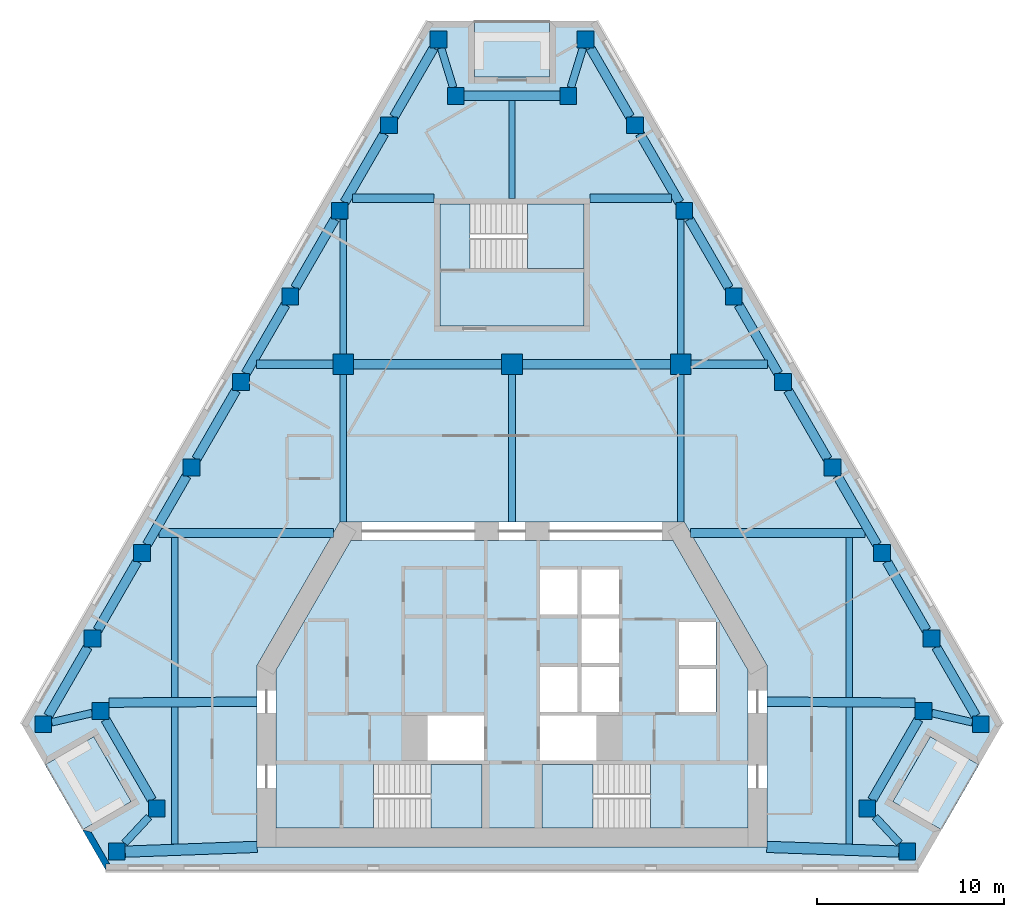
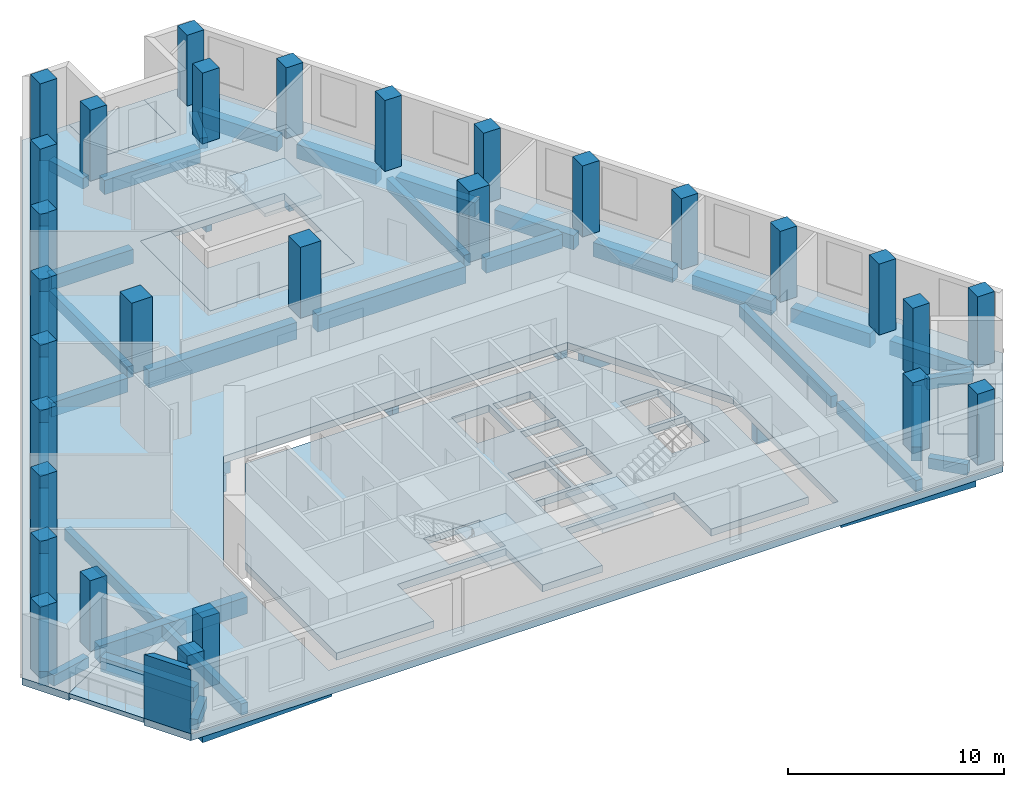
# One storey, part 1 of 7: 47 beams, 29 columns, 9 slabs, 1 wall, 3 elements without a shape of their own.
"""IFC4 building model written with IfcOpenShell, lengths in metres."""

from ifc_helpers import new_model, si_unit, direction, frame, origin, origin_2d, place, context, subcontext, project, spatial, polyline, rectangle, outline, extrude, material, layer, layer_set, material_profile, profile_set, type_object, element, aggregate, save


model = new_model("IFC4")

# Units and contexts
model_context = context("Model", 3, precision=1e-05, world=origin(), true_north=direction((0.0, 1.0)))
body_context = subcontext(model_context, "Body", "Model", "MODEL_VIEW")
ifc_project = project(units=[si_unit("LENGTHUNIT", "METRE"), si_unit("AREAUNIT", "SQUARE_METRE"), si_unit("VOLUMEUNIT", "CUBIC_METRE"), si_unit("PLANEANGLEUNIT", "RADIAN"), si_unit("MASSUNIT", "GRAM", prefix="KILO")], contexts=[model_context])

# Site, building, storey
site_placement = place(None, origin())
site = spatial("IfcSite", under=ifc_project, at=site_placement, CompositionType="ELEMENT")
building_placement = place(site_placement, origin())
building = spatial("IfcBuilding", under=site, at=building_placement, Name="Fogline Exchange Tower", CompositionType="ELEMENT")
storey_placement = place(building_placement, frame((0.0, 0.0, 251.5)))
storey = spatial("IfcBuildingStorey", under=building, at=storey_placement, Name="L57", CompositionType="ELEMENT", Elevation=251.5)

# Columns
ifc_material_1 = material(Name="Concrete C60", Category="concrete")
ifc_material_profile_1 = material_profile(ifc_material_1, rectangle(XDim=1.10009765625, YDim=1.10009765625, at=origin_2d()), Name="RC 1100x1100")
ifc_profile_set_1 = profile_set([ifc_material_profile_1], Name="Concrete C60")
column_type_1 = type_object("IfcColumnType", Name="C05", PredefinedType="COLUMN", material=ifc_profile_set_1)
for number, where, z_axis, x_axis, name in (
    (1, (-9.0, 27.0, 0.0), (0.0, 0.0, 1.0), (1.0, 0.0, 0.0), "IC--9-27"),
    (2, (0.0, 27.0, 0.0), (0.0, 0.0, 1.0), (1.0, 0.0, 0.0), "IC-0-27"),
    (3, (9.0, 27.0, 0.0), (0.0, 0.0, 1.0), (1.0, 0.0, 0.0), "IC-9-27"),
):
    element("IfcColumn", number, at=place(storey_placement, frame(where, z_axis=z_axis, x_axis=x_axis)), inside=storey, type_object=column_type_1, Name=name, PredefinedType="COLUMN", context=body_context, shape_type="SweptSolid", body=[
        extrude(rectangle(XDim=1.10009765625, YDim=1.10009765625, at=origin_2d()), origin(), (0.0, 0.0, 1.0), 4.0),
    ])
ifc_material_profile_2 = material_profile(ifc_material_1, rectangle(XDim=0.89990234375, YDim=0.89990234375, at=origin_2d()), Name="RC 900x900")
ifc_profile_set_2 = profile_set([ifc_material_profile_2], Name="Concrete C60")
column_type_2 = type_object("IfcColumnType", Name="C06", PredefinedType="COLUMN", material=ifc_profile_set_2)
for number, where, z_axis, x_axis, name in (
    (4, (-25.0146484375, 7.794189453125, 0.0), (0.0, 0.0, 1.0), (1.0, 0.0, 0.0), "SW-a"),
    (5, (-21.955322265625, 8.4951171875, 0.0), (0.0, 0.0, 1.0), (1.0, 0.0, 0.0), "SW-p4"),
    (6, (-18.955322265625, 3.299072265625, 0.0), (0.0, 0.0, 1.0), (1.0, 0.0, 0.0), "SW-p3"),
    (7, (-21.092041015625, 1.0, 0.0), (0.0, 0.0, 1.0), (1.0, 0.0, 0.0), "SW-b"),
    (8, (21.092041015625, 1.0, 0.0), (0.0, 0.0, 1.0), (1.0, 0.0, 0.0), "SE-a"),
    (9, (18.955322265625, 3.299072265625, 0.0), (0.0, 0.0, 1.0), (1.0, 0.0, 0.0), "SE-p4"),
    (10, (21.955322265625, 8.4951171875, 0.0), (0.0, 0.0, 1.0), (1.0, 0.0, 0.0), "SE-p3"),
    (11, (25.0146484375, 7.794189453125, 0.0), (0.0, 0.0, 1.0), (1.0, 0.0, 0.0), "SE-b"),
    (12, (22.378173828125, 12.36083984375, 0.0), (0.0, 0.0, 1.0), (1.0, 0.0, 0.0), "E1"),
    (13, (19.74169921875, 16.92724609375, 0.0), (0.0, 0.0, 1.0), (1.0, 0.0, 0.0), "E2"),
    (14, (17.105224609375, 21.493896484375, 0.0), (0.0, 0.0, 1.0), (1.0, 0.0, 0.0), "E3"),
    (15, (14.46875, 26.060302734375, 0.0), (0.0, 0.0, 1.0), (1.0, 0.0, 0.0), "E4"),
    (16, (11.832275390625, 30.626953125, 0.0), (0.0, 0.0, 1.0), (1.0, 0.0, 0.0), "E5"),
    (17, (9.19580078125, 35.193603515625, 0.0), (0.0, 0.0, 1.0), (1.0, 0.0, 0.0), "E6"),
    (18, (6.55908203125, 39.760009765625, 0.0), (0.0, 0.0, 1.0), (1.0, 0.0, 0.0), "E7"),
    (19, (3.922607421875, 44.32666015625, 0.0), (0.0, 0.0, 1.0), (1.0, 0.0, 0.0), "N-a"),
    (20, (3.0, 41.32666015625, 0.0), (0.0, 0.0, 1.0), (1.0, 0.0, 0.0), "N-p4"),
    (21, (-3.0, 41.32666015625, 0.0), (0.0, 0.0, 1.0), (1.0, 0.0, 0.0), "N-p3"),
    (22, (-3.922607421875, 44.32666015625, 0.0), (0.0, 0.0, 1.0), (1.0, 0.0, 0.0), "N-b"),
    (23, (-6.55908203125, 39.760009765625, 0.0), (0.0, 0.0, 1.0), (1.0, 0.0, 0.0), "W1"),
    (24, (-9.19580078125, 35.193603515625, 0.0), (0.0, 0.0, 1.0), (1.0, 0.0, 0.0), "W2"),
    (25, (-11.832275390625, 30.626953125, 0.0), (0.0, 0.0, 1.0), (1.0, 0.0, 0.0), "W3"),
    (26, (-14.46875, 26.060302734375, 0.0), (0.0, 0.0, 1.0), (1.0, 0.0, 0.0), "W4"),
    (27, (-17.105224609375, 21.493896484375, 0.0), (0.0, 0.0, 1.0), (1.0, 0.0, 0.0), "W5"),
    (28, (-19.74169921875, 16.92724609375, 0.0), (0.0, 0.0, 1.0), (1.0, 0.0, 0.0), "W6"),
    (29, (-22.378173828125, 12.36083984375, 0.0), (0.0, 0.0, 1.0), (1.0, 0.0, 0.0), "W7"),
):
    element("IfcColumn", number, at=place(storey_placement, frame(where, z_axis=z_axis, x_axis=x_axis)), inside=storey, type_object=column_type_2, Name=name, PredefinedType="COLUMN", context=body_context, shape_type="SweptSolid", body=[
        extrude(rectangle(XDim=0.89990234375, YDim=0.89990234375, at=origin_2d()), origin(), (0.0, 0.0, 1.0), 4.0),
    ])

# Beams
ifc_material_2 = material(Name="Concrete C40", Category="concrete")
ifc_material_profile_3 = material_profile(ifc_material_2, rectangle(XDim=0.300048828125, YDim=0.60009765625, at=origin_2d()), Name="RC 300x600")
ifc_profile_set_3 = profile_set([ifc_material_profile_3], Name="Concrete C40")
beam_type_1 = type_object("IfcBeamType", Name="B06", PredefinedType="BEAM", material=ifc_profile_set_3)
beam_1_placement = place(storey_placement, frame((0.0, 35.85693359375, -0.699951171875), z_axis=(0.0, 1.0, 0.0), x_axis=(-1.0, 0.0, 0.0)))
element("IfcBeam", 30, at=beam_1_placement, inside=storey, type_object=beam_type_1, Name="SB006", PredefinedType="BEAM", context=body_context, shape_type="SweptSolid", body=[
    extrude(rectangle(XDim=0.300048828125, YDim=0.60009765625, at=origin_2d()), origin(), (0.0, 0.0, 1.0), 5.2197265625),
])
ifc_material_profile_4 = material_profile(ifc_material_2, rectangle(XDim=0.60009765625, YDim=0.89990234375, at=origin_2d()), Name="RC 600x900")
ifc_profile_set_4 = profile_set([ifc_material_profile_4], Name="Concrete C40")
beam_type_2 = type_object("IfcBeamType", Name="B09", PredefinedType="BEAM", material=ifc_profile_set_4)
beam_2_placement = place(storey_placement, frame((-20.64208984375, 0.99462890625, -0.85009765625), z_axis=(0.999343107492, 0.036240219472, 0.0), x_axis=(-0.036240219472, 0.999343107492, 0.0)))
element("IfcBeam", 31, at=beam_2_placement, inside=storey, type_object=beam_type_2, Name="RB004", PredefinedType="BEAM", context=body_context, shape_type="SweptSolid", body=[
    extrude(rectangle(XDim=0.60009765625, YDim=0.89990234375, at=origin_2d()), origin(), (0.0, 0.0, 1.0), 7.046630859375),
])
beam_3_placement = place(storey_placement, frame((13.60009765625, 1.25, -0.85009765625), z_axis=(0.99937042328, -0.035478966629, 0.0), x_axis=(0.035478966629, 0.99937042328, 0.0)))
element("IfcBeam", 32, at=beam_3_placement, inside=storey, type_object=beam_type_2, Name="RB005", PredefinedType="BEAM", context=body_context, shape_type="SweptSolid", body=[
    extrude(rectangle(XDim=0.60009765625, YDim=0.89990234375, at=origin_2d()), origin(), (0.0, 0.0, 1.0), 7.04638671875),
])
ifc_material_profile_5 = material_profile(ifc_material_2, rectangle(XDim=0.5, YDim=0.800048828125, at=origin_2d()), Name="RC 500x800")
ifc_profile_set_5 = profile_set([ifc_material_profile_5], Name="Concrete C40")
beam_type_3 = type_object("IfcBeamType", Name="B10", PredefinedType="BEAM", material=ifc_profile_set_5)
for number, where, z_axis, x_axis, name in (
    (33, (-21.6953125, 8.045166015625, -0.800048828125), (0.499976646485, -0.866038886523, 0.0), (0.866038886523, 0.499976646485, 0.0), "RB002"),
    (34, (19.215087890625, 3.7490234375, -0.800048828125), (0.499976646485, 0.866038886523, 0.0), (-0.866038886523, 0.499976646485, 0.0), "RB007"),
):
    element("IfcBeam", number, at=place(storey_placement, frame(where, z_axis=z_axis, x_axis=x_axis)), inside=storey, type_object=beam_type_3, Name=name, PredefinedType="BEAM", context=body_context, shape_type="SweptSolid", body=[
        extrude(rectangle(XDim=0.5, YDim=0.800048828125, at=origin_2d()), origin(), (0.0, 0.0, 1.0), 4.960693359375),
    ])
beam_4_placement = place(storey_placement, frame((24.7548828125, 8.244140625, -0.800048828125), z_axis=(-0.499990325971, 0.866030989016, 0.0), x_axis=(-0.866030989016, -0.499990325971, 0.0)))
element("IfcBeam", 35, at=beam_4_placement, inside=storey, type_object=beam_type_3, Name="RB009", PredefinedType="BEAM", context=body_context, shape_type="SweptSolid", body=[
    extrude(rectangle(XDim=0.5, YDim=0.800048828125, at=origin_2d()), origin(), (0.0, 0.0, 1.0), 4.23388671875),
])
beam_5_placement = place(storey_placement, frame((22.118408203125, 12.810791015625, -0.800048828125), z_axis=(-0.500015295222, 0.866016572904, 0.0), x_axis=(-0.866016572904, -0.500015295222, 0.0)))
element("IfcBeam", 36, at=beam_5_placement, inside=storey, type_object=beam_type_3, Name="RB010", PredefinedType="BEAM", context=body_context, shape_type="SweptSolid", body=[
    extrude(rectangle(XDim=0.5, YDim=0.800048828125, at=origin_2d()), origin(), (0.0, 0.0, 1.0), 4.233642578125),
])
beam_6_placement = place(storey_placement, frame((19.481689453125, 17.377197265625, -0.800048828125), z_axis=(-0.499947076772, 0.866055956868, 0.0), x_axis=(-0.866055956868, -0.499947076772, 0.0)))
element("IfcBeam", 37, at=beam_6_placement, inside=storey, type_object=beam_type_3, Name="RB011", PredefinedType="BEAM", context=body_context, shape_type="SweptSolid", body=[
    extrude(rectangle(XDim=0.5, YDim=0.800048828125, at=origin_2d()), origin(), (0.0, 0.0, 1.0), 4.23388671875),
])
for number, where, z_axis, x_axis, name in (
    (38, (16.84521484375, 21.94384765625, -0.800048828125), (-0.499972045304, 0.866041542834, 0.0), (-0.866041542834, -0.499972045304, 0.0), "RB012"),
    (39, (14.208740234375, 26.510498046875, -0.800048828125), (-0.499972045304, 0.866041542834, 0.0), (-0.866041542834, -0.499972045304, 0.0), "RB013"),
    (40, (11.572265625, 31.076904296875, -0.800048828125), (-0.499972045304, 0.866041542834, 0.0), (-0.866041542834, -0.499972045304, 0.0), "RB014"),
    (41, (8.935791015625, 35.6435546875, -0.800048828125), (-0.499972045304, 0.866041542834, 0.0), (-0.866041542834, -0.499972045304, 0.0), "RB015"),
    (42, (6.29931640625, 40.210205078125, -0.800048828125), (-0.499972045304, 0.866041542834, 0.0), (-0.866041542834, -0.499972045304, 0.0), "RB016"),
):
    element("IfcBeam", number, at=place(storey_placement, frame(where, z_axis=z_axis, x_axis=x_axis)), inside=storey, type_object=beam_type_3, Name=name, PredefinedType="BEAM", context=body_context, shape_type="SweptSolid", body=[
        extrude(rectangle(XDim=0.5, YDim=0.800048828125, at=origin_2d()), origin(), (0.0, 0.0, 1.0), 4.233642578125),
    ])
beam_7_placement = place(storey_placement, frame((2.550048828125, 41.32666015625, -0.800048828125), z_axis=(-1.0, 0.0, 0.0), x_axis=(0.0, -1.0, 0.0)))
element("IfcBeam", 43, at=beam_7_placement, inside=storey, type_object=beam_type_3, Name="RB018", PredefinedType="BEAM", context=body_context, shape_type="SweptSolid", body=[
    extrude(rectangle(XDim=0.5, YDim=0.800048828125, at=origin_2d()), origin(), (0.0, 0.0, 1.0), 5.10009765625),
])
for number, where, z_axis, x_axis, name in (
    (44, (-4.1826171875, 43.876708984375, -0.800048828125), (-0.499972045304, -0.866041542834, 0.0), (0.866041542834, -0.499972045304, 0.0), "RB020"),
    (45, (-6.819091796875, 39.31005859375, -0.800048828125), (-0.499972045304, -0.866041542834, 0.0), (0.866041542834, -0.499972045304, 0.0), "RB021"),
    (46, (-9.45556640625, 34.743408203125, -0.800048828125), (-0.499972045304, -0.866041542834, 0.0), (0.866041542834, -0.499972045304, 0.0), "RB022"),
    (47, (-12.092041015625, 30.177001953125, -0.800048828125), (-0.499972045304, -0.866041542834, 0.0), (0.866041542834, -0.499972045304, 0.0), "RB023"),
    (48, (-14.728515625, 25.6103515625, -0.800048828125), (-0.499972045304, -0.866041542834, 0.0), (0.866041542834, -0.499972045304, 0.0), "RB024"),
):
    element("IfcBeam", number, at=place(storey_placement, frame(where, z_axis=z_axis, x_axis=x_axis)), inside=storey, type_object=beam_type_3, Name=name, PredefinedType="BEAM", context=body_context, shape_type="SweptSolid", body=[
        extrude(rectangle(XDim=0.5, YDim=0.800048828125, at=origin_2d()), origin(), (0.0, 0.0, 1.0), 4.233642578125),
    ])
beam_8_placement = place(storey_placement, frame((-17.364990234375, 21.0439453125, -0.800048828125), z_axis=(-0.499947076772, -0.866055956868, 0.0), x_axis=(0.866055956868, -0.499947076772, 0.0)))
element("IfcBeam", 49, at=beam_8_placement, inside=storey, type_object=beam_type_3, Name="RB025", PredefinedType="BEAM", context=body_context, shape_type="SweptSolid", body=[
    extrude(rectangle(XDim=0.5, YDim=0.800048828125, at=origin_2d()), origin(), (0.0, 0.0, 1.0), 4.23388671875),
])
beam_9_placement = place(storey_placement, frame((-20.00146484375, 16.477294921875, -0.800048828125), z_axis=(-0.500015295222, -0.866016572904, 0.0), x_axis=(0.866016572904, -0.500015295222, 0.0)))
element("IfcBeam", 50, at=beam_9_placement, inside=storey, type_object=beam_type_3, Name="RB026", PredefinedType="BEAM", context=body_context, shape_type="SweptSolid", body=[
    extrude(rectangle(XDim=0.5, YDim=0.800048828125, at=origin_2d()), origin(), (0.0, 0.0, 1.0), 4.233642578125),
])
beam_10_placement = place(storey_placement, frame((-22.637939453125, 11.910888671875, -0.800048828125), z_axis=(-0.499990325971, -0.866030989016, 0.0), x_axis=(0.866030989016, -0.499990325971, 0.0)))
element("IfcBeam", 51, at=beam_10_placement, inside=storey, type_object=beam_type_3, Name="RB027", PredefinedType="BEAM", context=body_context, shape_type="SweptSolid", body=[
    extrude(rectangle(XDim=0.5, YDim=0.800048828125, at=origin_2d()), origin(), (0.0, 0.0, 1.0), 4.23388671875),
])
ifc_material_profile_6 = material_profile(ifc_material_2, rectangle(XDim=0.39990234375, YDim=0.60009765625, at=origin_2d()), Name="RC 400x600")
ifc_profile_set_6 = profile_set([ifc_material_profile_6], Name="Concrete C40")
beam_type_4 = type_object("IfcBeamType", Name="B11", PredefinedType="BEAM", material=ifc_profile_set_6)
beam_11_placement = place(storey_placement, frame((-24.564697265625, 7.897216796875, -0.699951171875), z_axis=(0.974731818643, 0.223378337636, 0.0), x_axis=(-0.223378337636, 0.974731818643, 0.0)))
element("IfcBeam", 52, at=beam_11_placement, inside=storey, type_object=beam_type_4, Name="RB001", PredefinedType="BEAM", context=body_context, shape_type="SweptSolid", body=[
    extrude(rectangle(XDim=0.39990234375, YDim=0.60009765625, at=origin_2d()), origin(), (0.0, 0.0, 1.0), 2.21533203125),
])
for number, where, z_axis, x_axis, name in (
    (53, (-19.37353515625, 2.84912109375, -0.699951171875), (-0.68075009804, -0.732515736362, 0.0), (0.732515736362, -0.68075009804, 0.0), "RB003"),
    (54, (20.673828125, 1.449951171875, -0.699951171875), (-0.68075009804, 0.732515736362, 0.0), (-0.732515736362, -0.68075009804, 0.0), "RB006"),
):
    element("IfcBeam", number, at=place(storey_placement, frame(where, z_axis=z_axis, x_axis=x_axis)), inside=storey, type_object=beam_type_4, Name=name, PredefinedType="BEAM", context=body_context, shape_type="SweptSolid", body=[
        extrude(rectangle(XDim=0.39990234375, YDim=0.60009765625, at=origin_2d()), origin(), (0.0, 0.0, 1.0), 1.91015625),
    ])
beam_12_placement = place(storey_placement, frame((22.4052734375, 8.39208984375, -0.699951171875), z_axis=(0.974731818643, -0.223378337636, 0.0), x_axis=(0.223378337636, 0.974731818643, 0.0)))
element("IfcBeam", 55, at=beam_12_placement, inside=storey, type_object=beam_type_4, Name="RB008", PredefinedType="BEAM", context=body_context, shape_type="SweptSolid", body=[
    extrude(rectangle(XDim=0.39990234375, YDim=0.60009765625, at=origin_2d()), origin(), (0.0, 0.0, 1.0), 2.21533203125),
])
for number, where, z_axis, x_axis, name in (
    (56, (3.7841796875, 43.876708984375, -0.699951171875), (-0.293906253456, -0.95583425037, 0.0), (0.95583425037, -0.293906253456, 0.0), "RB017"),
    (57, (-3.138427734375, 41.776611328125, -0.699951171875), (-0.293906253456, 0.95583425037, 0.0), (-0.95583425037, -0.293906253456, 0.0), "RB019"),
):
    element("IfcBeam", number, at=place(storey_placement, frame(where, z_axis=z_axis, x_axis=x_axis)), inside=storey, type_object=beam_type_4, Name=name, PredefinedType="BEAM", context=body_context, shape_type="SweptSolid", body=[
        extrude(rectangle(XDim=0.39990234375, YDim=0.60009765625, at=origin_2d()), origin(), (0.0, 0.0, 1.0), 2.197021484375),
    ])
ifc_material_profile_7 = material_profile(ifc_material_2, rectangle(XDim=0.5, YDim=0.949951171875, at=origin_2d()), Name="RC 500x950")
ifc_profile_set_7 = profile_set([ifc_material_profile_7], Name="Concrete C40")
beam_type_5 = type_object("IfcBeamType", Name="B14", PredefinedType="BEAM", material=ifc_profile_set_7)
for number, where, z_axis, x_axis, name in (
    (58, (-21.50537109375, 8.9453125, -0.875), (0.999976072531, 0.006917684998, 0.0), (-0.006917684998, 0.999976072531, 0.0), "GB001"),
    (59, (13.60009765625, 9.0, -0.875), (0.999976072531, -0.006917684998, 0.0), (0.006917684998, 0.999976072531, 0.0), "GB002"),
):
    element("IfcBeam", number, at=place(storey_placement, frame(where, z_axis=z_axis, x_axis=x_axis)), inside=storey, type_object=beam_type_5, Name=name, PredefinedType="BEAM", context=body_context, shape_type="SweptSolid", body=[
        extrude(rectangle(XDim=0.5, YDim=0.949951171875, at=origin_2d()), origin(), (0.0, 0.0, 1.0), 7.905517578125),
    ])
for number, where, z_axis, x_axis, name in (
    (60, (-18.833740234375, 18.0, -0.875), (1.0, 0.0, 0.0), (0.0, 1.0, 0.0), "GB003"),
    (61, (9.527099609375, 18.0, -0.875), (1.0, 0.0, 0.0), (0.0, 1.0, 0.0), "GB004"),
):
    element("IfcBeam", number, at=place(storey_placement, frame(where, z_axis=z_axis, x_axis=x_axis)), inside=storey, type_object=beam_type_5, Name=name, PredefinedType="BEAM", context=body_context, shape_type="SweptSolid", body=[
        extrude(rectangle(XDim=0.5, YDim=0.949951171875, at=origin_2d()), origin(), (0.0, 0.0, 1.0), 9.306640625),
    ])
for number, where, z_axis, x_axis, name in (
    (62, (-8.449951171875, 27.0, -0.875), (1.0, 0.0, 0.0), (0.0, 1.0, 0.0), "GB006"),
    (63, (0.550048828125, 27.0, -0.875), (1.0, 0.0, 0.0), (0.0, 1.0, 0.0), "GB007"),
):
    element("IfcBeam", number, at=place(storey_placement, frame(where, z_axis=z_axis, x_axis=x_axis)), inside=storey, type_object=beam_type_5, Name=name, PredefinedType="BEAM", context=body_context, shape_type="SweptSolid", body=[
        extrude(rectangle(XDim=0.5, YDim=0.949951171875, at=origin_2d()), origin(), (0.0, 0.0, 1.0), 7.89990234375),
    ])
ifc_material_profile_8 = material_profile(ifc_material_2, rectangle(XDim=0.35009765625, YDim=0.64990234375, at=origin_2d()), Name="RC 350x650")
ifc_profile_set_8 = profile_set([ifc_material_profile_8], Name="Concrete C40")
beam_type_6 = type_object("IfcBeamType", Name="B16", PredefinedType="BEAM", material=ifc_profile_set_8)
beam_13_placement = place(storey_placement, frame((-18.0, 1.390625, -0.72509765625), z_axis=(0.0, 1.0, 0.0), x_axis=(-1.0, 0.0, 0.0)))
element("IfcBeam", 64, at=beam_13_placement, inside=storey, type_object=beam_type_6, Name="SB001", PredefinedType="BEAM", context=body_context, shape_type="SweptSolid", body=[
    extrude(rectangle(XDim=0.35009765625, YDim=0.64990234375, at=origin_2d()), origin(), (0.0, 0.0, 1.0), 7.328857421875),
])
beam_14_placement = place(storey_placement, frame((-18.0, 9.219482421875, -0.72509765625), z_axis=(0.0, 1.0, 0.0), x_axis=(-1.0, 0.0, 0.0)))
element("IfcBeam", 65, at=beam_14_placement, inside=storey, type_object=beam_type_6, Name="SB002", PredefinedType="BEAM", context=body_context, shape_type="SweptSolid", body=[
    extrude(rectangle(XDim=0.35009765625, YDim=0.64990234375, at=origin_2d()), origin(), (0.0, 0.0, 1.0), 8.530517578125),
])
beam_15_placement = place(storey_placement, frame((-9.0, 18.60009765625, -0.72509765625), z_axis=(0.0, 1.0, 0.0), x_axis=(-1.0, 0.0, 0.0)))
element("IfcBeam", 66, at=beam_15_placement, inside=storey, type_object=beam_type_6, Name="SB003", PredefinedType="BEAM", context=body_context, shape_type="SweptSolid", body=[
    extrude(rectangle(XDim=0.35009765625, YDim=0.64990234375, at=origin_2d()), origin(), (0.0, 0.0, 1.0), 7.849853515625),
])
beam_16_placement = place(storey_placement, frame((-9.0, 27.550048828125, -0.72509765625), z_axis=(0.0, 1.0, 0.0), x_axis=(-1.0, 0.0, 0.0)))
element("IfcBeam", 67, at=beam_16_placement, inside=storey, type_object=beam_type_6, Name="SB004", PredefinedType="BEAM", context=body_context, shape_type="SweptSolid", body=[
    extrude(rectangle(XDim=0.35009765625, YDim=0.64990234375, at=origin_2d()), origin(), (0.0, 0.0, 1.0), 7.193359375),
])
for number, where, z_axis, x_axis, name in (
    (68, (0.0, 18.60009765625, -0.72509765625), (0.0, 1.0, 0.0), (-1.0, 0.0, 0.0), "SB005"),
    (69, (9.0, 18.60009765625, -0.72509765625), (0.0, 1.0, 0.0), (-1.0, 0.0, 0.0), "SB007"),
):
    element("IfcBeam", number, at=place(storey_placement, frame(where, z_axis=z_axis, x_axis=x_axis)), inside=storey, type_object=beam_type_6, Name=name, PredefinedType="BEAM", context=body_context, shape_type="SweptSolid", body=[
        extrude(rectangle(XDim=0.35009765625, YDim=0.64990234375, at=origin_2d()), origin(), (0.0, 0.0, 1.0), 7.849853515625),
    ])
beam_17_placement = place(storey_placement, frame((9.0, 27.550048828125, -0.72509765625), z_axis=(0.0, 1.0, 0.0), x_axis=(-1.0, 0.0, 0.0)))
element("IfcBeam", 70, at=beam_17_placement, inside=storey, type_object=beam_type_6, Name="SB008", PredefinedType="BEAM", context=body_context, shape_type="SweptSolid", body=[
    extrude(rectangle(XDim=0.35009765625, YDim=0.64990234375, at=origin_2d()), origin(), (0.0, 0.0, 1.0), 7.193359375),
])
beam_18_placement = place(storey_placement, frame((18.0, 1.39404296875, -0.72509765625), z_axis=(0.0, 1.0, 0.0), x_axis=(-1.0, 0.0, 0.0)))
element("IfcBeam", 71, at=beam_18_placement, inside=storey, type_object=beam_type_6, Name="SB009", PredefinedType="BEAM", context=body_context, shape_type="SweptSolid", body=[
    extrude(rectangle(XDim=0.35009765625, YDim=0.64990234375, at=origin_2d()), origin(), (0.0, 0.0, 1.0), 7.325439453125),
])
beam_19_placement = place(storey_placement, frame((18.0, 9.219482421875, -0.72509765625), z_axis=(0.0, 1.0, 0.0), x_axis=(-1.0, 0.0, 0.0)))
element("IfcBeam", 72, at=beam_19_placement, inside=storey, type_object=beam_type_6, Name="SB010", PredefinedType="BEAM", context=body_context, shape_type="SweptSolid", body=[
    extrude(rectangle(XDim=0.35009765625, YDim=0.64990234375, at=origin_2d()), origin(), (0.0, 0.0, 1.0), 8.530517578125),
])
ifc_material_profile_9 = material_profile(ifc_material_2, rectangle(XDim=0.449951171875, YDim=0.800048828125, at=origin_2d()), Name="RC 450x800")
ifc_profile_set_9 = profile_set([ifc_material_profile_9], Name="Concrete C40")
beam_type_7 = type_object("IfcBeamType", Name="B18", PredefinedType="BEAM", material=ifc_profile_set_9)
for number, where, z_axis, x_axis, name in (
    (73, (-13.637451171875, 27.0, -0.800048828125), (1.0, 0.0, 0.0), (0.0, 1.0, 0.0), "GB005"),
    (74, (9.550048828125, 27.0, -0.800048828125), (1.0, 0.0, 0.0), (0.0, 1.0, 0.0), "GB008"),
):
    element("IfcBeam", number, at=place(storey_placement, frame(where, z_axis=z_axis, x_axis=x_axis)), inside=storey, type_object=beam_type_7, Name=name, PredefinedType="BEAM", context=body_context, shape_type="SweptSolid", body=[
        extrude(rectangle(XDim=0.449951171875, YDim=0.800048828125, at=origin_2d()), origin(), (0.0, 0.0, 1.0), 4.08740234375),
    ])
for number, where, z_axis, x_axis, name in (
    (75, (-8.52392578125, 35.85693359375, -0.800048828125), (1.0, 0.0, 0.0), (0.0, 1.0, 0.0), "GB009"),
    (76, (4.14990234375, 35.85693359375, -0.800048828125), (1.0, 0.0, 0.0), (0.0, 1.0, 0.0), "GB010"),
):
    element("IfcBeam", number, at=place(storey_placement, frame(where, z_axis=z_axis, x_axis=x_axis)), inside=storey, type_object=beam_type_7, Name=name, PredefinedType="BEAM", context=body_context, shape_type="SweptSolid", body=[
        extrude(rectangle(XDim=0.449951171875, YDim=0.800048828125, at=origin_2d()), origin(), (0.0, 0.0, 1.0), 4.3740234375),
    ])

# Slabs
ifc_layer_1 = layer(ifc_material_2, 0.25)
ifc_layer_set_1 = layer_set([ifc_layer_1], Name="DK1")
slab_type_1 = type_object("IfcSlabType", Name="DK1", PredefinedType="FLOOR", material=ifc_layer_set_1)
slab_1_placement = place(storey_placement, frame((0.0, 0.0, -0.25)))
element("IfcSlab", 77, at=slab_1_placement, inside=storey, type_object=slab_type_1, Name="Balcony L57 SW", PredefinedType="FLOOR", context=body_context, shape_type="SweptSolid", body=[
    extrude(outline(polyline([(-24.91943359375, 5.629150390625), (-22.91943359375, 2.1650390625), (-20.3212890625, 3.6650390625), (-22.3212890625, 7.129150390625), (-24.91943359375, 5.629150390625)])), origin(), (0.0, 0.0, 1.0), 0.25),
])
slab_2_placement = place(storey_placement, frame((0.0, 0.0, -0.25)))
element("IfcSlab", 78, at=slab_2_placement, inside=storey, type_object=slab_type_1, Name="Balcony L57 SE", PredefinedType="FLOOR", context=body_context, shape_type="SweptSolid", body=[
    extrude(outline(polyline([(22.91943359375, 2.1650390625), (24.91943359375, 5.629150390625), (22.3212890625, 7.129150390625), (20.3212890625, 3.6650390625), (22.91943359375, 2.1650390625)])), origin(), (0.0, 0.0, 1.0), 0.25),
])
slab_3_placement = place(storey_placement, frame((0.0, 0.0, -0.25)))
element("IfcSlab", 79, at=slab_3_placement, inside=storey, type_object=slab_type_1, Name="Balcony L57 N", PredefinedType="FLOOR", context=body_context, shape_type="SweptSolid", body=[
    extrude(outline(polyline([(2.0, 45.32666015625), (-2.0, 45.32666015625), (-2.0, 42.32666015625), (2.0, 42.32666015625), (2.0, 45.32666015625)])), origin(), (0.0, 0.0, 1.0), 0.25),
])
ifc_layer_2 = layer(ifc_material_2, 0.39990234375)
ifc_layer_set_2 = layer_set([ifc_layer_2], Name="S03")
slab_type_2 = type_object("IfcSlabType", Name="S03", PredefinedType="FLOOR", material=ifc_layer_set_2)
slab_4_placement = place(storey_placement, frame((0.0, 0.0, -0.39990234375)))
element("IfcSlab", 80, at=slab_4_placement, inside=storey, type_object=slab_type_2, Name="SLAB L57", PredefinedType="FLOOR", context=body_context, shape_type="SweptSolid", body=[
    extrude(outline(polyline([(-2.0, 45.32666015625), (-4.5, 45.32666015625), (-26.16943359375, 7.794189453125), (-24.91943359375, 5.629150390625), (-22.3212890625, 7.129150390625), (-20.3212890625, 3.6650390625), (-22.91943359375, 2.1650390625), (-21.66943359375, 0.0), (21.66943359375, 0.0), (22.91943359375, 2.1650390625), (20.3212890625, 3.6650390625), (22.3212890625, 7.129150390625), (24.91943359375, 5.629150390625), (26.16943359375, 7.794189453125), (4.5, 45.32666015625), (2.0, 45.32666015625), (2.0, 42.32666015625), (-2.0, 42.32666015625), (-2.0, 45.32666015625)]), holes=[polyline([(13.60009765625, 10.9453125), (13.60009765625, 1.25), (-13.60009765625, 1.25), (-13.60009765625, 10.9453125), (-9.1806640625, 18.60009765625), (9.1806640625, 18.60009765625), (13.60009765625, 10.9453125)]), polyline([(3.85009765625, 35.556884765625), (3.85009765625, 29.056884765625), (-3.85009765625, 29.056884765625), (-3.85009765625, 35.556884765625), (3.85009765625, 35.556884765625)])]), origin(), (0.0, 0.0, 1.0), 0.39990234375),
])
slab_5_placement = place(storey_placement, frame((0.0, 0.0, -0.39990234375)))
element("IfcSlab", 81, at=slab_5_placement, inside=storey, type_object=slab_type_2, Name="Core floor slab", PredefinedType="FLOOR", context=body_context, shape_type="SweptSolid", body=[
    extrude(outline(polyline([(-12.60009765625, 2.25), (-12.60009765625, 10.677490234375), (-8.603271484375, 17.60009765625), (8.603271484375, 17.60009765625), (12.60009765625, 10.677490234375), (12.60009765625, 2.25), (7.389892578125, 2.25), (7.389892578125, 5.64990234375), (1.60009765625, 5.64990234375), (1.60009765625, 2.25), (-1.60009765625, 2.25), (-1.60009765625, 5.64990234375), (-7.389892578125, 5.64990234375), (-7.389892578125, 2.25), (-12.60009765625, 2.25)]), holes=[polyline([(-4.5, 8.25), (-4.5, 5.85009765625), (-1.5, 5.85009765625), (-1.5, 8.25), (-4.5, 8.25)]), polyline([(4.5, 8.25), (1.5, 8.25), (1.5, 5.85009765625), (4.5, 5.85009765625), (4.5, 8.25)]), polyline([(3.5, 10.85009765625), (1.5, 10.85009765625), (1.5, 8.449951171875), (3.5, 8.449951171875), (3.5, 10.85009765625)]), polyline([(1.5, 16.050048828125), (1.5, 13.64990234375), (3.5, 13.64990234375), (3.5, 16.050048828125), (1.5, 16.050048828125)]), polyline([(10.89990234375, 10.75), (8.89990234375, 10.75), (8.89990234375, 8.449951171875), (10.89990234375, 8.449951171875), (10.89990234375, 10.75)]), polyline([(5.699951171875, 10.85009765625), (3.699951171875, 10.85009765625), (3.699951171875, 8.449951171875), (5.699951171875, 8.449951171875), (5.699951171875, 10.85009765625)]), polyline([(8.89990234375, 13.25), (8.89990234375, 10.949951171875), (10.89990234375, 10.949951171875), (10.89990234375, 13.25), (8.89990234375, 13.25)]), polyline([(5.699951171875, 13.449951171875), (3.699951171875, 13.449951171875), (3.699951171875, 11.050048828125), (5.699951171875, 11.050048828125), (5.699951171875, 13.449951171875)]), polyline([(5.699951171875, 16.050048828125), (3.699951171875, 16.050048828125), (3.699951171875, 13.64990234375), (5.699951171875, 13.64990234375), (5.699951171875, 16.050048828125)])]), origin(), (0.0, 0.0, 1.0), 0.39990234375),
])
slab_6_placement = place(storey_placement, frame((0.0, 0.0, -0.39990234375)))
element("IfcSlab", 82, at=slab_6_placement, inside=storey, type_object=slab_type_2, Name="Stair enclosure floor slab", PredefinedType="FLOOR", context=body_context, shape_type="SweptSolid", body=[
    extrude(outline(polyline([(3.85009765625, 29.056884765625), (-3.85009765625, 29.056884765625), (-3.85009765625, 35.556884765625), (-2.239990234375, 35.556884765625), (-2.239990234375, 32.10693359375), (3.85009765625, 32.10693359375), (3.85009765625, 29.056884765625)])), origin(), (0.0, 0.0, 1.0), 0.39990234375),
])

# Stair, slab
stair_type = type_object("IfcStairType", Name="STR24-1667", PredefinedType="HALF_TURN_STAIR", material=ifc_material_2)
stair_1_placement = place(storey_placement, origin())
stair_1 = element("IfcStair", 83, at=stair_1_placement, inside=storey, type_object=stair_type, Name="Stair ST1", PredefinedType="HALF_TURN_STAIR")
ifc_layer_3 = layer(ifc_material_2, 0.199951171875)
ifc_layer_set_3 = layer_set([ifc_layer_3], Name="SL200")
slab_type_3 = type_object("IfcSlabType", Name="SL200", PredefinedType="LANDING", material=ifc_layer_set_3)
slab_7_placement = place(storey_placement, frame((0.0, 0.0, 1.800048828125)))
slab_7 = element("IfcSlab", 84, at=slab_7_placement, type_object=slab_type_3, Name="ST1 landing 1", PredefinedType="LANDING", context=body_context, shape_type="SweptSolid", body=[
    extrude(outline(polyline([(-4.320068359375, 2.25), (-1.60009765625, 2.25), (-1.60009765625, 5.64990234375), (-4.320068359375, 5.64990234375), (-4.320068359375, 2.25)])), origin(), (0.0, 0.0, 1.0), 0.199951171875),
])
aggregate(stair_1, [slab_7])

stair_2_placement = place(storey_placement, origin())
stair_2 = element("IfcStair", 85, at=stair_2_placement, inside=storey, type_object=stair_type, Name="Stair ST2", PredefinedType="HALF_TURN_STAIR")
slab_8_placement = place(storey_placement, frame((0.0, 0.0, 1.800048828125)))
slab_8 = element("IfcSlab", 86, at=slab_8_placement, type_object=slab_type_3, Name="ST2 landing 1", PredefinedType="LANDING", context=body_context, shape_type="SweptSolid", body=[
    extrude(outline(polyline([(1.60009765625, 2.25), (4.320068359375, 2.25), (4.320068359375, 5.64990234375), (1.60009765625, 5.64990234375), (1.60009765625, 2.25)])), origin(), (0.0, 0.0, 1.0), 0.199951171875),
])
aggregate(stair_2, [slab_8])

stair_3_placement = place(storey_placement, origin())
stair_3 = element("IfcStair", 87, at=stair_3_placement, inside=storey, type_object=stair_type, Name="Stair ST3", PredefinedType="HALF_TURN_STAIR")
slab_9_placement = place(storey_placement, frame((0.0, 0.0, 1.800048828125)))
slab_9 = element("IfcSlab", 88, at=slab_9_placement, type_object=slab_type_3, Name="ST3 landing 1", PredefinedType="LANDING", context=body_context, shape_type="SweptSolid", body=[
    extrude(outline(polyline([(0.830078125, 32.10693359375), (3.85009765625, 32.10693359375), (3.85009765625, 35.556884765625), (0.830078125, 35.556884765625), (0.830078125, 32.10693359375)])), origin(), (0.0, 0.0, 1.0), 0.199951171875),
])
aggregate(stair_3, [slab_9])

# Wall
ifc_material_3 = material(Name="Brick masonry", Category="masonry")
ifc_layer_4 = layer(ifc_material_3, 0.340087890625)
ifc_layer_set_4 = layer_set([ifc_layer_4], Name="FW1")
wall_type = type_object("IfcWallType", Name="FW1", PredefinedType="SOLIDWALL", material=ifc_layer_set_4)
wall_placement = place(storey_placement, origin())
element("IfcWall", 89, at=wall_placement, inside=storey, type_object=wall_type, Name="Brick wall L57 SW-c2", PredefinedType="SOLIDWALL", context=body_context, shape_type="SweptSolid", body=[
    extrude(outline(polyline([(-21.471923828125, 0.33935546875), (-21.668701171875, 0.33935546875), (-21.668701171875, -0.0009765625), (-21.66943359375, -0.001220703125), (-22.92041015625, 2.165771484375), (-22.920166015625, 2.166015625), (-22.45458984375, 2.041015625), (-21.471923828125, 0.33935546875)])), origin(), (0.0, 0.0, 1.0), 3.60009765625),
])

save(model, "model.ifc")
